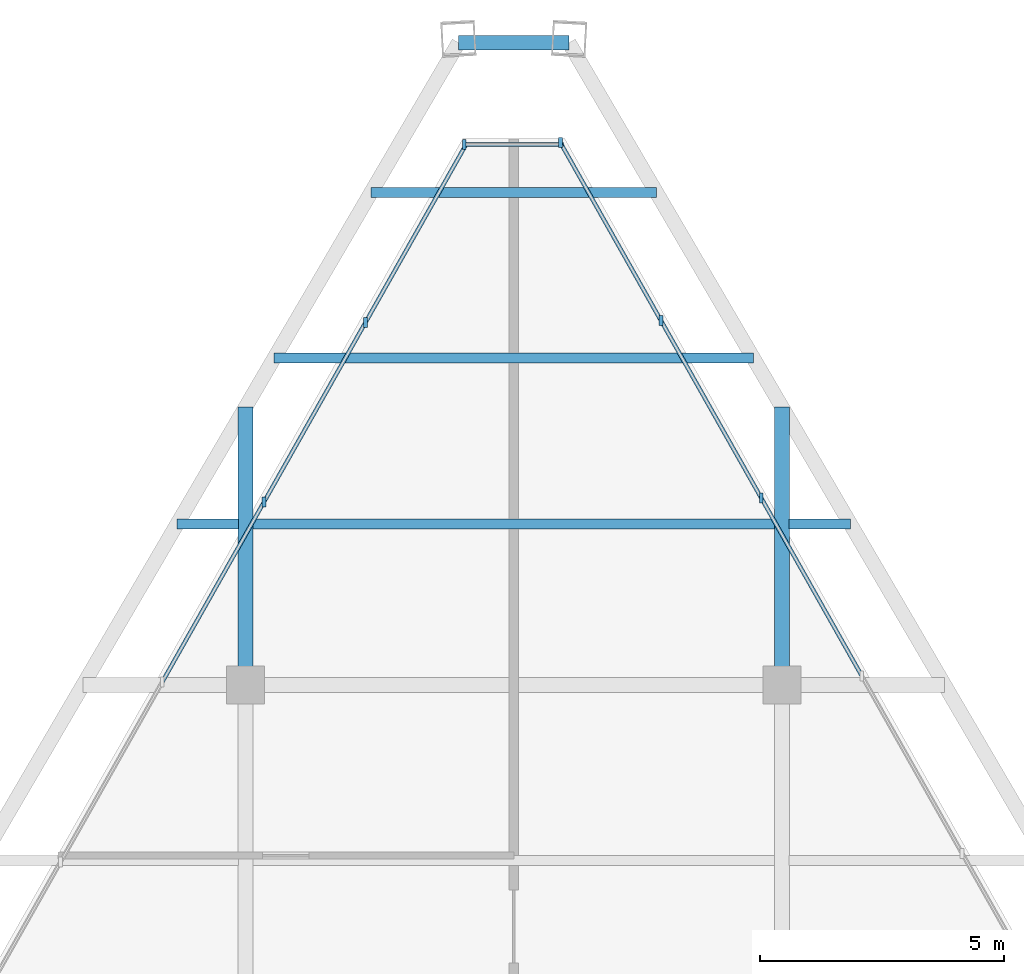
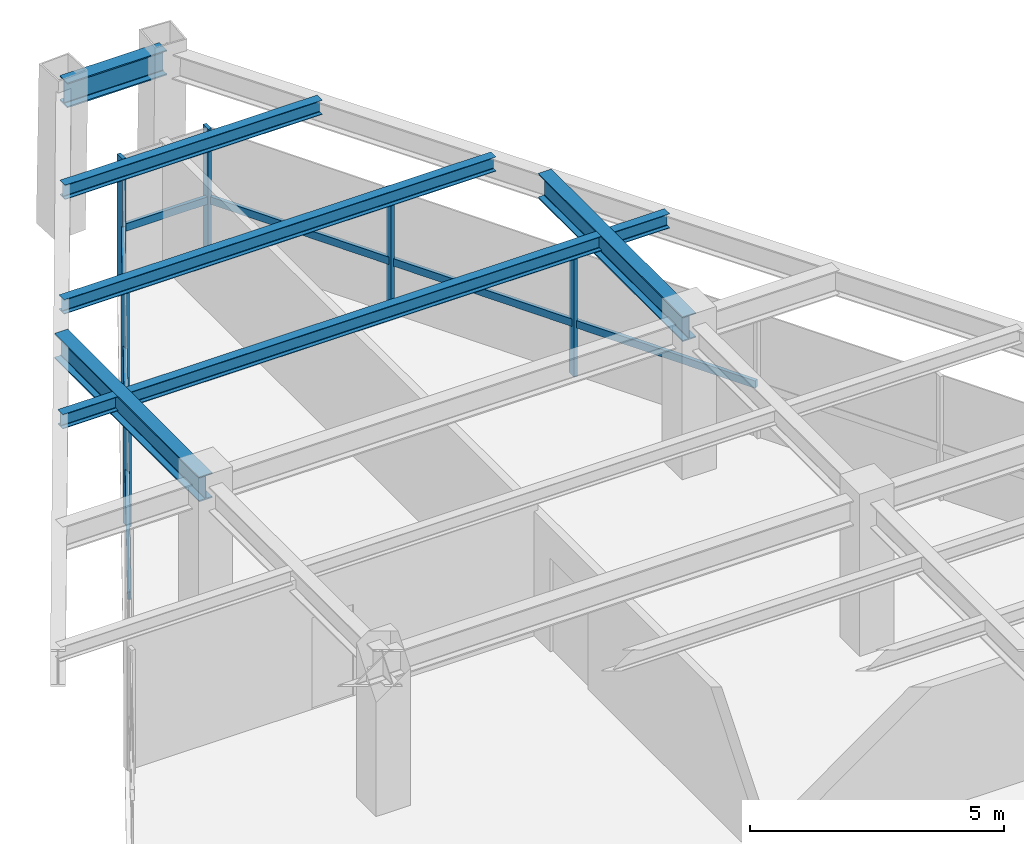
# One storey, part 8 of 12: 13 members, 8 beams, 3 elements without a shape of their own.
"""IFC4 building model written with IfcOpenShell, lengths in metres."""

from ifc_helpers import new_model, si_unit, direction, frame, origin, origin_2d, place, context, subcontext, project, spatial, rectangle, i_section, extrude, source, transform, mapped, material, material_profile, profile_set, type_object, type_shapes, element, aggregate, save


model = new_model("IFC4")

# Units and contexts
model_context = context("Model", 3, precision=1e-05, world=origin(), true_north=direction((0.0, 1.0)))
body_context = subcontext(model_context, "Body", "Model", "MODEL_VIEW")
ifc_project = project(units=[si_unit("LENGTHUNIT", "METRE"), si_unit("AREAUNIT", "SQUARE_METRE"), si_unit("VOLUMEUNIT", "CUBIC_METRE"), si_unit("PLANEANGLEUNIT", "RADIAN"), si_unit("MASSUNIT", "GRAM", prefix="KILO")], contexts=[model_context])

# Site, building, storey
site_placement = place(None, origin())
site = spatial("IfcSite", under=ifc_project, at=site_placement, CompositionType="ELEMENT")
building_placement = place(site_placement, origin())
building = spatial("IfcBuilding", under=site, at=building_placement, Name="Varnakhor Terracotta Tower", CompositionType="ELEMENT")
storey_placement = place(building_placement, frame((0.0, 0.0, 317.5)))
storey = spatial("IfcBuildingStorey", under=building, at=storey_placement, Name="L83 Crown", CompositionType="ELEMENT", Elevation=317.5)

# Beams
ifc_material_1 = material(Name="Steel S355", Category="steel")
ifc_material_profile_1 = material_profile(ifc_material_1, i_section(OverallWidth=0.202880859375, OverallDepth=0.346923828125, WebThickness=0.0078125, FlangeThickness=0.013427734375, FilletRadius=0.01806640625, at=origin_2d()), Name="W14X43")
ifc_profile_set_1 = profile_set([ifc_material_profile_1], Name="Steel S355")
beam_type_1 = type_object("IfcBeamType", Name="JST-W14X43", PredefinedType="JOIST", material=ifc_profile_set_1)
shared_shape_1 = source(origin(), body_context, "Body", "SweptSolid", [
    extrude(i_section(OverallWidth=0.202880859375, OverallDepth=0.346923828125, WebThickness=0.0078125, FlangeThickness=0.013427734375, FilletRadius=0.01806640625, at=origin_2d()), origin(), (0.0, 0.0, 1.0), 10.7080078125),
])
beam_1_placement = place(storey_placement, frame((-5.35400390625, 34.800048828125, 3.426513671875), z_axis=(1.0, 0.0, 0.0), x_axis=(0.0, 1.0, 0.0)))
element("IfcBeam", 1, at=beam_1_placement, inside=storey, type_object=beam_type_1, Name="L83 Crown Composite Floor Joist 7-2", PredefinedType="JOIST", context=body_context, shape_type="MappedRepresentation", body=[
    mapped(shared_shape_1, transform((0.0, 0.0, 0.0), scale=1.0)),
])
ifc_material_profile_2 = material_profile(ifc_material_1, i_section(OverallWidth=0.300048828125, OverallDepth=0.60009765625, WebThickness=0.015380859375, FlangeThickness=0.030029296875, FilletRadius=0.01806640625, at=origin_2d()), Name="HEB600")
ifc_profile_set_2 = profile_set([ifc_material_profile_2], Name="Steel S355")
beam_type_2 = type_object("IfcBeamType", Name="BM-HEB600", PredefinedType="BEAM", material=ifc_profile_set_2)
shared_shape_2 = source(origin(), body_context, "Body", "SweptSolid", [
    extrude(i_section(OverallWidth=0.300048828125, OverallDepth=0.60009765625, WebThickness=0.015380859375, FlangeThickness=0.030029296875, FilletRadius=0.01806640625, at=origin_2d()), origin(), (0.0, 0.0, 1.0), 2.26220703125),
])
beam_2_placement = place(storey_placement, frame((1.131103515625, 44.665771484375, 3.300048828125), z_axis=(-1.0, 0.0, 0.0), x_axis=(0.0, -1.0, 0.0)))
element("IfcBeam", 2, at=beam_2_placement, inside=storey, type_object=beam_type_2, Name="L83 Crown Perimeter Spandrel 5", PredefinedType="BEAM", context=body_context, shape_type="MappedRepresentation", body=[
    mapped(shared_shape_2, transform((0.0, 0.0, 0.0), scale=1.0)),
])
shared_shape_3 = source(origin(), body_context, "Body", "SweptSolid", [
    extrude(i_section(OverallWidth=0.300048828125, OverallDepth=0.60009765625, WebThickness=0.015380859375, FlangeThickness=0.030029296875, FilletRadius=0.01806640625, at=origin_2d()), origin(), (0.0, 0.0, 1.0), 5.695556640625),
])
for number, where, z_axis, x_axis, name in (
    (3, (-5.5, 31.5, 3.300048828125), (0.0, 1.0, 0.0), (-1.0, 0.0, 0.0), "L83 Crown Primary Girder NS3-W"),
    (4, (5.5, 31.5, 3.300048828125), (0.0, 1.0, 0.0), (-1.0, 0.0, 0.0), "L83 Crown Primary Girder NS3-E"),
):
    element("IfcBeam", number, at=place(storey_placement, frame(where, z_axis=z_axis, x_axis=x_axis)), inside=storey, type_object=beam_type_2, Name=name, PredefinedType="BEAM", context=body_context, shape_type="MappedRepresentation", body=[
        mapped(shared_shape_3, transform((0.0, 0.0, 0.0), scale=1.0)),
    ])
shared_shape_4 = source(origin(), body_context, "Body", "SweptSolid", [
    extrude(i_section(OverallWidth=0.202880859375, OverallDepth=0.346923828125, WebThickness=0.0078125, FlangeThickness=0.013427734375, FilletRadius=0.01806640625, at=origin_2d()), origin(), (0.0, 0.0, 1.0), 1.255126953125),
])
for number, where, z_axis, x_axis, name in (
    (5, (-6.901123046875, 34.800048828125, 3.426513671875), (1.0, 0.0, 0.0), (0.0, 1.0, 0.0), "L83 Crown Composite Floor Joist 7-1"),
    (6, (5.64599609375, 34.800048828125, 3.426513671875), (1.0, 0.0, 0.0), (0.0, 1.0, 0.0), "L83 Crown Composite Floor Joist 7-3"),
):
    element("IfcBeam", number, at=place(storey_placement, frame(where, z_axis=z_axis, x_axis=x_axis)), inside=storey, type_object=beam_type_1, Name=name, PredefinedType="JOIST", context=body_context, shape_type="MappedRepresentation", body=[
        mapped(shared_shape_4, transform((0.0, 0.0, 0.0), scale=1.0)),
    ])
shared_shape_5 = source(origin(), body_context, "Body", "SweptSolid", [
    extrude(i_section(OverallWidth=0.202880859375, OverallDepth=0.346923828125, WebThickness=0.0078125, FlangeThickness=0.013427734375, FilletRadius=0.01806640625, at=origin_2d()), origin(), (0.0, 0.0, 1.0), 9.8251953125),
])
beam_3_placement = place(storey_placement, frame((-4.91259765625, 38.199951171875, 3.426513671875), z_axis=(1.0, 0.0, 0.0), x_axis=(0.0, 1.0, 0.0)))
element("IfcBeam", 7, at=beam_3_placement, inside=storey, type_object=beam_type_1, Name="L83 Crown Composite Floor Joist 8-1", PredefinedType="JOIST", context=body_context, shape_type="MappedRepresentation", body=[
    mapped(shared_shape_5, transform((0.0, 0.0, 0.0), scale=1.0)),
])
shared_shape_6 = source(origin(), body_context, "Body", "SweptSolid", [
    extrude(i_section(OverallWidth=0.202880859375, OverallDepth=0.346923828125, WebThickness=0.0078125, FlangeThickness=0.013427734375, FilletRadius=0.01806640625, at=origin_2d()), origin(), (0.0, 0.0, 1.0), 5.84814453125),
])
beam_4_placement = place(storey_placement, frame((-2.924072265625, 41.60009765625, 3.426513671875), z_axis=(1.0, 0.0, 0.0), x_axis=(0.0, 1.0, 0.0)))
element("IfcBeam", 8, at=beam_4_placement, inside=storey, type_object=beam_type_1, Name="L83 Crown Composite Floor Joist 9-1", PredefinedType="JOIST", context=body_context, shape_type="MappedRepresentation", body=[
    mapped(shared_shape_6, transform((0.0, 0.0, 0.0), scale=1.0)),
])

# Curtain wall, members
ifc_material_2 = material(Name="Anodised Aluminium Curtain Wall System", Category="aluminium")
curtain_wall_type = type_object("IfcCurtainWallType", Name="CW-SYS-CROWN", PredefinedType="NOTDEFINED", material=ifc_material_2)
curtain_wall_1_placement = place(storey_placement, origin())
curtain_wall_1 = element("IfcCurtainWall", 9, at=curtain_wall_1_placement, inside=storey, type_object=curtain_wall_type, Name="L83 Crown Facet Curtain Wall 1", PredefinedType="NOTDEFINED")
ifc_material_3 = material(Name="Anodised Aluminium 6063-T6", Category="aluminium")
ifc_material_profile_3 = material_profile(ifc_material_3, rectangle(XDim=0.080078125, YDim=0.205078125, at=origin_2d()), Name="ALU MULLION 80x205")
ifc_profile_set_3 = profile_set([ifc_material_profile_3], Name="Anodised Aluminium 6063-T6")
member_type_1 = type_object("IfcMemberType", Name="CWM-06", PredefinedType="MULLION", material=ifc_profile_set_3)
shared_shape_7 = source(origin(), body_context, "Body", "SweptSolid", [
    extrude(rectangle(XDim=0.080078125, YDim=0.205078125, at=origin_2d()), origin(), (0.0, 0.0, 1.0), 2.97998046875),
])
type_shapes(member_type_1, [shared_shape_7])
member_1_placement = place(storey_placement, frame((-5.122802734375, 35.24658203125, 0.0), z_axis=(0.0, 0.0, 1.0), x_axis=(1.0, 0.0, 0.0)))
member_1 = element("IfcMember", 10, at=member_1_placement, type_object=member_type_1, Name="L83 Crown Facet Curtain Wall 1 Mullion 10", PredefinedType="MULLION", context=body_context, shape_type="MappedRepresentation", body=[
    mapped(shared_shape_7, transform((0.0, 0.0, 0.0), scale=1.0)),
])
member_2_placement = place(storey_placement, frame((-3.0390625, 38.932861328125, 0.0), z_axis=(0.0, 0.0, 1.0), x_axis=(1.0, 0.0, 0.0)))
member_2 = element("IfcMember", 11, at=member_2_placement, type_object=member_type_1, Name="L83 Crown Facet Curtain Wall 1 Mullion 11", PredefinedType="MULLION", context=body_context, shape_type="MappedRepresentation", body=[
    mapped(shared_shape_7, transform((0.0, 0.0, 0.0), scale=1.0)),
])

# Curtain wall, member
curtain_wall_2_placement = place(storey_placement, origin())
curtain_wall_2 = element("IfcCurtainWall", 12, at=curtain_wall_2_placement, inside=storey, type_object=curtain_wall_type, Name="L83 Crown Facet Curtain Wall 2", PredefinedType="NOTDEFINED")
member_3_placement = place(storey_placement, frame((-1.01513671875, 42.583984375, 0.0), z_axis=(0.0, 0.0, 1.0), x_axis=(1.0, 0.0, 0.0)))
member_3 = element("IfcMember", 13, at=member_3_placement, type_object=member_type_1, Name="L83 Crown Facet Curtain Wall 2 Mullion 1", PredefinedType="MULLION", context=body_context, shape_type="MappedRepresentation", body=[
    mapped(shared_shape_7, transform((0.0, 0.0, 0.0), scale=1.0)),
])

# Curtain wall, members
curtain_wall_3_placement = place(storey_placement, origin())
curtain_wall_3 = element("IfcCurtainWall", 14, at=curtain_wall_3_placement, inside=storey, type_object=curtain_wall_type, Name="L83 Crown Facet Curtain Wall 3", PredefinedType="NOTDEFINED")
member_4_placement = place(storey_placement, frame((0.95556640625, 42.618896484375, 0.0), z_axis=(0.0, 0.0, 1.0), x_axis=(1.0, 0.0, 0.0)))
member_4 = element("IfcMember", 15, at=member_4_placement, type_object=member_type_1, Name="L83 Crown Facet Curtain Wall 3 Mullion 1", PredefinedType="MULLION", context=body_context, shape_type="MappedRepresentation", body=[
    mapped(shared_shape_7, transform((0.0, 0.0, 0.0), scale=1.0)),
])
member_5_placement = place(storey_placement, frame((3.01513671875, 38.975341796875, 0.0), z_axis=(0.0, 0.0, 1.0), x_axis=(1.0, 0.0, 0.0)))
member_5 = element("IfcMember", 16, at=member_5_placement, type_object=member_type_1, Name="L83 Crown Facet Curtain Wall 3 Mullion 2", PredefinedType="MULLION", context=body_context, shape_type="MappedRepresentation", body=[
    mapped(shared_shape_7, transform((0.0, 0.0, 0.0), scale=1.0)),
])
member_6_placement = place(storey_placement, frame((5.07470703125, 35.331787109375, 0.0), z_axis=(0.0, 0.0, 1.0), x_axis=(1.0, 0.0, 0.0)))
member_6 = element("IfcMember", 17, at=member_6_placement, type_object=member_type_1, Name="L83 Crown Facet Curtain Wall 3 Mullion 3", PredefinedType="MULLION", context=body_context, shape_type="MappedRepresentation", body=[
    mapped(shared_shape_7, transform((0.0, 0.0, 0.0), scale=1.0)),
])

# Member
ifc_material_profile_4 = material_profile(ifc_material_3, rectangle(XDim=0.080078125, YDim=0.179931640625, at=origin_2d()), Name="ALU TRANSOM 80x180")
ifc_profile_set_4 = profile_set([ifc_material_profile_4], Name="Anodised Aluminium 6063-T6")
member_type_2 = type_object("IfcMemberType", Name="CWT-06", PredefinedType="USERDEFINED", material=ifc_profile_set_4)
shared_shape_8 = source(origin(), body_context, "Body", "SweptSolid", [
    extrude(rectangle(XDim=0.080078125, YDim=0.179931640625, at=origin_2d()), origin(), (0.0, 0.0, 1.0), 4.234130859375),
])
member_7_placement = place(storey_placement, frame((-3.0390625, 38.932861328125, 1.251708984375), z_axis=(0.492072456426, 0.870554247377, 0.0), x_axis=(-0.870554247377, 0.492072456426, 0.0)))
member_7 = element("IfcMember", 18, at=member_7_placement, type_object=member_type_2, Name="L83 Crown Facet Curtain Wall 1 Transom 11", ObjectType="TRANSOM", PredefinedType="USERDEFINED", context=body_context, shape_type="MappedRepresentation", body=[
    mapped(shared_shape_8, transform((0.0, 0.0, 0.0), scale=1.0)),
])

shared_shape_9 = source(origin(), body_context, "Body", "SweptSolid", [
    extrude(rectangle(XDim=0.080078125, YDim=0.179931640625, at=origin_2d()), origin(), (0.0, 0.0, 1.0), 4.234375),
])
member_8_placement = place(storey_placement, frame((-5.122802734375, 35.24658203125, 1.251708984375), z_axis=(0.492091453226, 0.870543509345, 0.0), x_axis=(-0.870543509345, 0.492091453226, 0.0)))
member_8 = element("IfcMember", 19, at=member_8_placement, type_object=member_type_2, Name="L83 Crown Facet Curtain Wall 1 Transom 10", ObjectType="TRANSOM", PredefinedType="USERDEFINED", context=body_context, shape_type="MappedRepresentation", body=[
    mapped(shared_shape_9, transform((0.0, 0.0, 0.0), scale=1.0)),
])

shared_shape_10 = source(origin(), body_context, "Body", "SweptSolid", [
    extrude(rectangle(XDim=0.080078125, YDim=0.179931640625, at=origin_2d()), origin(), (0.0, 0.0, 1.0), 4.23388671875),
])
member_9_placement = place(storey_placement, frame((-7.206298828125, 31.560791015625, 1.251708984375), z_axis=(0.492097157716, 0.870540284747, 0.0), x_axis=(-0.870540284747, 0.492097157716, 0.0)))
member_9 = element("IfcMember", 20, at=member_9_placement, type_object=member_type_2, Name="L83 Crown Facet Curtain Wall 1 Transom 9", ObjectType="TRANSOM", PredefinedType="USERDEFINED", context=body_context, shape_type="MappedRepresentation", body=[
    mapped(shared_shape_10, transform((0.0, 0.0, 0.0), scale=1.0)),
])

aggregate(curtain_wall_1, [member_9, member_1, member_8, member_2, member_7])

shared_shape_11 = source(origin(), body_context, "Body", "SweptSolid", [
    extrude(rectangle(XDim=0.080078125, YDim=0.179931640625, at=origin_2d()), origin(), (0.0, 0.0, 1.0), 2.0302734375),
])
member_10_placement = place(storey_placement, frame((-1.01513671875, 42.583984375, 1.251708984375), z_axis=(1.0, 0.0, 0.0), x_axis=(0.0, 1.0, 0.0)))
member_10 = element("IfcMember", 21, at=member_10_placement, type_object=member_type_2, Name="L83 Crown Facet Curtain Wall 2 Transom 1", ObjectType="TRANSOM", PredefinedType="USERDEFINED", context=body_context, shape_type="MappedRepresentation", body=[
    mapped(shared_shape_11, transform((0.0, 0.0, 0.0), scale=1.0)),
])

aggregate(curtain_wall_2, [member_3, member_10])

shared_shape_12 = source(origin(), body_context, "Body", "SweptSolid", [
    extrude(rectangle(XDim=0.080078125, YDim=0.179931640625, at=origin_2d()), origin(), (0.0, 0.0, 1.0), 4.185302734375),
])
member_11_placement = place(storey_placement, frame((0.95556640625, 42.618896484375, 1.251708984375), z_axis=(0.492088010148, -0.870545455601, 0.0), x_axis=(0.870545455601, 0.492088010148, 0.0)))
member_11 = element("IfcMember", 22, at=member_11_placement, type_object=member_type_2, Name="L83 Crown Facet Curtain Wall 3 Transom 1", ObjectType="TRANSOM", PredefinedType="USERDEFINED", context=body_context, shape_type="MappedRepresentation", body=[
    mapped(shared_shape_12, transform((0.0, 0.0, 0.0), scale=1.0)),
])

member_12_placement = place(storey_placement, frame((3.01513671875, 38.975341796875, 1.251708984375), z_axis=(0.492088010148, -0.870545455601, 0.0), x_axis=(0.870545455601, 0.492088010148, 0.0)))
member_12 = element("IfcMember", 23, at=member_12_placement, type_object=member_type_2, Name="L83 Crown Facet Curtain Wall 3 Transom 2", ObjectType="TRANSOM", PredefinedType="USERDEFINED", context=body_context, shape_type="MappedRepresentation", body=[
    mapped(shared_shape_12, transform((0.0, 0.0, 0.0), scale=1.0)),
])

member_13_placement = place(storey_placement, frame((5.07470703125, 35.331787109375, 1.251708984375), z_axis=(0.492088010148, -0.870545455601, 0.0), x_axis=(0.870545455601, 0.492088010148, 0.0)))
member_13 = element("IfcMember", 24, at=member_13_placement, type_object=member_type_2, Name="L83 Crown Facet Curtain Wall 3 Transom 3", ObjectType="TRANSOM", PredefinedType="USERDEFINED", context=body_context, shape_type="MappedRepresentation", body=[
    mapped(shared_shape_12, transform((0.0, 0.0, 0.0), scale=1.0)),
])

aggregate(curtain_wall_3, [member_4, member_11, member_5, member_12, member_6, member_13])

save(model, "model.ifc")
